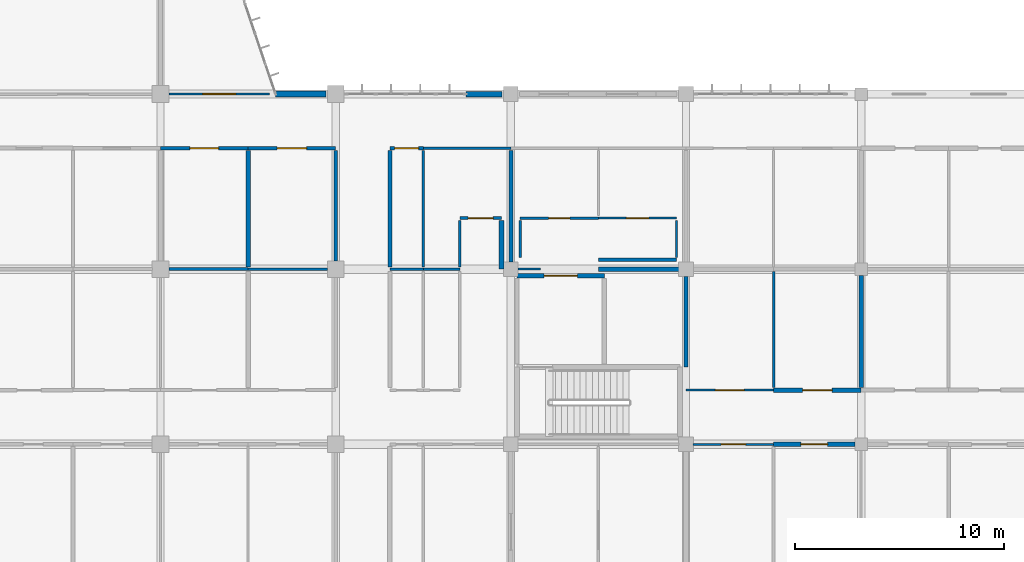
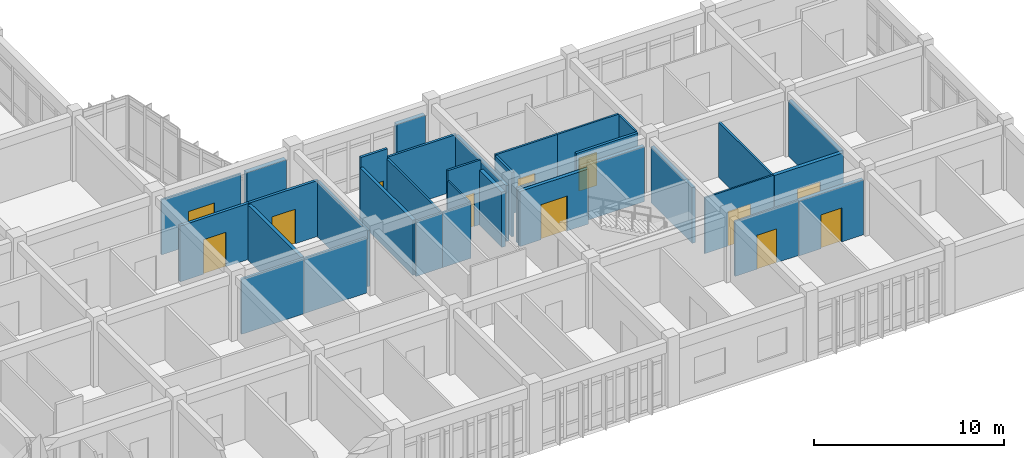
# One storey, part 117 of 144: 34 walls, 12 doors, 12 openings.
"""IFC4 building model written with IfcOpenShell, lengths in metres."""

import ifcopenshell
import ifcopenshell.guid

model = None  # the IFC model being written
_history = None  # IfcOwnerHistory: only IFC2X3 demands one
_inside = {}  # id of a spatial element -> (the spatial element, [elements in it])
_under = {}  # id of a project, library or spatial element -> (it, [spatial elements below it])
_declared = {}  # id of a project -> (the project, [libraries it declares])
_typed = {}  # id of a type object -> (the type object, [elements of that type])
_made_of = {}  # id of a material, layer set ... -> (it, [elements and type objects made of it])


def new_model(schema):
    """Start an empty IFC model of exactly this schema.

    Asked for "IFC4X3", IfcOpenShell would pick the latest addendum, in which some entities
    have other attributes; the version numbers below select the first issue.
    IFC2X3 requires an IfcOwnerHistory on every rooted entity: one is made here for all.
    """
    global model, _history
    if schema == "IFC4X3":
        model = ifcopenshell.file(schema_version=(4, 3, 0, 0))
    else:
        model = ifcopenshell.file(schema=schema)
    _inside.clear()
    _under.clear()
    _declared.clear()
    _typed.clear()
    _made_of.clear()
    _history = None
    if model.schema == "IFC2X3":
        org = make("IfcOrganization", Name="unknown")
        user = make(
            "IfcPersonAndOrganization",
            ThePerson=make("IfcPerson", FamilyName="unknown"),
            TheOrganization=org,
        )
        app = make(
            "IfcApplication",
            ApplicationDeveloper=org,
            Version="unknown",
            ApplicationFullName="unknown",
            ApplicationIdentifier="unknown",
        )
        _history = make(
            "IfcOwnerHistory",
            OwningUser=user,
            OwningApplication=app,
            ChangeAction="ADDED",
            CreationDate=0,
        )
    return model


def make(cls, **values):
    """One entity of the class cls with the attributes given. An attribute that is None is left unset."""
    return model.create_entity(
        cls, **{name: value for name, value in values.items() if value is not None}
    )


def rooted(cls, **values):
    """An entity with a GlobalId (a new one), such as an element, a storey or a relation."""
    return make(cls, GlobalId=ifcopenshell.guid.new(), OwnerHistory=_history, **values)


def si_unit(unit_type, name, prefix=None):
    """IfcSIUnit, for example si_unit("LENGTHUNIT", "METRE", prefix="MILLI")."""
    return make("IfcSIUnit", UnitType=unit_type, Prefix=prefix, Name=name)


def assignment(units):
    """IfcUnitAssignment: the units of a project."""
    return None if units is None else make("IfcUnitAssignment", Units=units)


def point(xyz):
    """IfcCartesianPoint."""
    return None if xyz is None else make("IfcCartesianPoint", Coordinates=xyz)


def direction(xyz):
    """IfcDirection."""
    return None if xyz is None else make("IfcDirection", DirectionRatios=xyz)


def frame(location, z_axis=None, x_axis=None):
    """IfcAxis2Placement3D, a coordinate frame: its origin and axes. An axis left out is left unset."""
    return make(
        "IfcAxis2Placement3D",
        Location=point(location),
        Axis=direction(z_axis),
        RefDirection=direction(x_axis),
    )


def frame_2d(location, x_axis=None):
    """IfcAxis2Placement2D, a coordinate frame in the plane: its origin and x axis."""
    return make(
        "IfcAxis2Placement2D", Location=point(location), RefDirection=direction(x_axis)
    )


def origin():
    """The frame at (0, 0, 0) with its axes left unset."""
    return frame((0.0, 0.0, 0.0))


def place(relative_to, where):
    """IfcLocalPlacement: puts the frame where relative to a parent placement (None: the world)."""
    return make(
        "IfcLocalPlacement", PlacementRelTo=relative_to, RelativePlacement=where
    )


def context(
    kind, dimensions, precision=None, world=None, true_north=None, identifier=None
):
    """IfcGeometricRepresentationContext, for example the 3D "Model" context."""
    return make(
        "IfcGeometricRepresentationContext",
        ContextIdentifier=identifier,
        ContextType=kind,
        CoordinateSpaceDimension=dimensions,
        Precision=precision,
        WorldCoordinateSystem=world,
        TrueNorth=true_north,
    )


def subcontext(parent, identifier, kind, view, scale=None):
    """IfcGeometricRepresentationSubContext, for example "Body" below "Model"."""
    return make(
        "IfcGeometricRepresentationSubContext",
        ContextIdentifier=identifier,
        ContextType=kind,
        ParentContext=parent,
        TargetScale=scale,
        TargetView=view,
    )


def project(units=None, contexts=None):
    """IfcProject with its units and contexts."""
    return rooted(
        "IfcProject",
        Name="project",
        RepresentationContexts=contexts,
        UnitsInContext=assignment(units),
    )


def spatial(cls, under=None, at=None, **own):
    """A site, building, storey or space (cls), placed at a placement, below another one or the project."""
    s = rooted(cls, ObjectPlacement=at, **own)
    if under is not None:
        _under.setdefault(under.id(), (under, []))[1].append(s)
    return s


def profile(cls, at=None, kind="AREA", **sizes):
    """A parametric profile (cls). Its sizes go by their IFC names, for example OverallWidth=200.0."""
    return make(cls, ProfileType=kind, Position=at, **sizes)


def rectangle(**sizes):
    """IfcRectangleProfileDef."""
    return profile("IfcRectangleProfileDef", **sizes)


def extrude(swept, where, along, depth):
    """IfcExtrudedAreaSolid: the profile swept, set in the frame where, extruded along a direction by depth."""
    return make(
        "IfcExtrudedAreaSolid",
        SweptArea=swept,
        Position=where,
        ExtrudedDirection=direction(along),
        Depth=depth,
    )


def shape(context_of_items, identifier, shape_type, items):
    """IfcShapeRepresentation: the items that make up one representation, for example the "Body"."""
    return make(
        "IfcShapeRepresentation",
        ContextOfItems=context_of_items,
        RepresentationIdentifier=identifier,
        RepresentationType=shape_type,
        Items=items,
    )


def material(Name=None, Category=None):
    """IfcMaterial."""
    return make("IfcMaterial", Name=Name, Category=Category)


def layer(
    of_material, thickness, ventilated=None, Name=None, Category=None, Priority=None
):
    """IfcMaterialLayer: one layer of a wall or slab, of a material (None: an air gap)."""
    return make(
        "IfcMaterialLayer",
        Material=of_material,
        LayerThickness=thickness,
        IsVentilated=ventilated,
        Name=Name,
        Category=Category,
        Priority=Priority,
    )


def layer_set(layers, Name=None):
    """IfcMaterialLayerSet."""
    return make("IfcMaterialLayerSet", MaterialLayers=layers, LayerSetName=Name)


def made_of(thing, what):
    """Note that an element or type object is made of a material, layer set ...; save() writes the relation."""
    if what is not None:
        _made_of.setdefault(what.id(), (what, []))[1].append(thing)
    return thing


def type_object(cls, material=None, **own):
    """A type object (cls), such as IfcWallType, which elements share."""
    return made_of(rooted(cls, **own), material)


def element(
    cls,
    number,
    at=None,
    inside=None,
    cuts=None,
    type_object=None,
    material=None,
    context=None,
    identifier="Body",
    shape_type=None,
    held_by="IfcProductDefinitionShape",
    body=None,
    shapes=None,
    **own,
):
    """One element of the class cls, such as IfcWall. Its Tag is "e" and its number.

    at: its placement. inside: the storey or other place that contains it. cuts: it is an
    opening in that element (IfcRelVoidsElement). A single representation is given by context,
    identifier, shape_type and body (its items); several are given by shapes. held_by: the class
    of the entity that holds the representations. save() writes the other relations.
    """
    e = rooted(cls, Tag="e%d" % number, ObjectPlacement=at, **own)
    if body is not None:
        shapes = [shape(context, identifier, shape_type, body)]
    if shapes is not None:
        e.Representation = make(held_by, Representations=shapes)
    if inside is not None:
        _inside.setdefault(inside.id(), (inside, []))[1].append(e)
    if cuts is not None:
        rooted(
            "IfcRelVoidsElement", RelatingBuildingElement=cuts, RelatedOpeningElement=e
        )
    if type_object is not None:
        _typed.setdefault(type_object.id(), (type_object, []))[1].append(e)
    return made_of(e, material)


def fill(opening, filler):
    """IfcRelFillsElement: the door or window that sits in an opening."""
    return rooted(
        "IfcRelFillsElement",
        RelatingOpeningElement=opening,
        RelatedBuildingElement=filler,
    )


def aggregate(whole, parts):
    """IfcRelAggregates: a whole, such as a stair, and the parts it consists of."""
    return rooted("IfcRelAggregates", RelatingObject=whole, RelatedObjects=parts)


def save(model, path):
    """Write the relations noted so far, then the file.

    IfcRelAggregates (storeys below a building ...), IfcRelContainedInSpatialStructure (elements
    in a storey), IfcRelDefinesByType, IfcRelAssociatesMaterial and IfcRelDeclares: one each for
    every whole, place, type object, material and project.
    """
    for whole, parts in _under.values():
        aggregate(whole, parts)
    for where, things in _inside.values():
        rooted(
            "IfcRelContainedInSpatialStructure",
            RelatedElements=things,
            RelatingStructure=where,
        )
    for kind, things in _typed.values():
        rooted("IfcRelDefinesByType", RelatedObjects=things, RelatingType=kind)
    for what, things in _made_of.values():
        rooted("IfcRelAssociatesMaterial", RelatedObjects=things, RelatingMaterial=what)
    for by, libraries in _declared.values():
        rooted("IfcRelDeclares", RelatingContext=by, RelatedDefinitions=libraries)
    model.write(path)


model = new_model("IFC4")

# Units and contexts
model_context = context("Model", 3, precision=1e-05, world=origin(), true_north=direction((0.0, 1.0)))
body_context = subcontext(model_context, "Body", "Model", "MODEL_VIEW")
ifc_project = project(units=[si_unit("LENGTHUNIT", "METRE"), si_unit("AREAUNIT", "SQUARE_METRE"), si_unit("VOLUMEUNIT", "CUBIC_METRE"), si_unit("PLANEANGLEUNIT", "RADIAN"), si_unit("MASSUNIT", "GRAM", prefix="KILO")], contexts=[model_context])

# Site, building, storey
site_placement = place(None, origin())
site = spatial("IfcSite", under=ifc_project, at=site_placement, CompositionType="ELEMENT")
building_placement = place(site_placement, origin())
building = spatial("IfcBuilding", under=site, at=building_placement, Name="Bramfleet General Hospital", CompositionType="ELEMENT")
storey_placement = place(building_placement, frame((0.0, 0.0, 4.800048828125)))
storey = spatial("IfcBuildingStorey", under=building, at=storey_placement, Name="L01", CompositionType="ELEMENT", Elevation=4.800048828125)

# Walls
ifc_material_1 = material(Name="Precast concrete C40/50", Category="concrete")
ifc_layer_1 = layer(ifc_material_1, 0.280029296875, Name="WT-EW-06")
ifc_layer_set_1 = layer_set([ifc_layer_1], Name="Precast concrete C40/50")
wall_type_1 = type_object("IfcWallType", Name="WT-EW-06", PredefinedType="SOLIDWALL", material=ifc_layer_set_1)
wall_1_placement = place(storey_placement, frame((131.52099609375, 25.199951171875, 0.0), z_axis=(0.0, 0.0, 1.0), x_axis=(1.0, 0.0, 0.0)))
element("IfcWall", 1, at=wall_1_placement, inside=storey, type_object=wall_type_1, Name="L01 Exterior Wall 179", PredefinedType="SOLIDWALL", context=body_context, shape_type="SweptSolid", body=[
    extrude(rectangle(XDim=2.404052734375, YDim=0.280029296875, at=frame_2d((1.2021484375, 0.0))), origin(), (0.0, 0.0, 1.0), 3.5400390625),
])
ifc_layer_2 = layer(ifc_material_1, 0.264892578125, Name="WT-EW-07")
ifc_layer_set_2 = layer_set([ifc_layer_2], Name="Precast concrete C40/50")
wall_type_2 = type_object("IfcWallType", Name="WT-EW-07", PredefinedType="SOLIDWALL", material=ifc_layer_set_2)
wall_2_placement = place(storey_placement, frame((140.64111328125, 25.199951171875, 0.0), z_axis=(0.0, 0.0, 1.0), x_axis=(1.0, 0.0, 0.0)))
element("IfcWall", 2, at=wall_2_placement, inside=storey, type_object=wall_type_2, Name="L01 Exterior Wall 180", PredefinedType="SOLIDWALL", context=body_context, shape_type="SweptSolid", body=[
    extrude(rectangle(XDim=1.73388671875, YDim=0.264892578125, at=frame_2d((0.866943359375, 0.0))), origin(), (0.0, 0.0, 1.0), 3.43994140625),
])

# Wall, opening, door
ifc_material_2 = material(Name="Concrete C35/45", Category="concrete")
ifc_layer_3 = layer(ifc_material_2, 0.219970703125, Name="WT-IW-01")
ifc_layer_set_3 = layer_set([ifc_layer_3], Name="Concrete C35/45")
wall_type_3 = type_object("IfcWallType", Name="WT-IW-01", PredefinedType="PARTITIONING", material=ifc_layer_set_3)
wall_3_placement = place(storey_placement, frame((155.39990234375, 8.39990234375, 0.0), z_axis=(0.0, 0.0, 1.0), x_axis=(1.0, 0.0, 0.0)))
wall_3 = element("IfcWall", 3, at=wall_3_placement, inside=storey, type_object=wall_type_3, Name="L01 Interior Partition IW-L01-1225", PredefinedType="PARTITIONING", context=body_context, shape_type="SweptSolid", body=[
    extrude(rectangle(XDim=3.905029296875, YDim=0.219970703125, at=frame_2d((1.95263671875, 0.0))), origin(), (0.0, 0.0, 1.0), 3.5400390625),
])
opening_1_placement = place(wall_3_placement, frame((1.3125, 0.0, 0.0)))
opening_1 = element("IfcOpeningElement", 4, at=opening_1_placement, cuts=wall_3, Name="Opening D0829", PredefinedType="OPENING", context=body_context, shape_type="SweptSolid", body=[
    extrude(rectangle(XDim=1.280029296875, YDim=2.179931640625, at=frame_2d((0.64013671875, 1.08984375))), frame((0.0, 0.119873046875, 0.0), z_axis=(0.0, -1.0, 0.0), x_axis=(1.0, 0.0, 0.0)), (0.0, 0.0, 1.0), 0.239990234375),
])
ifc_material_3 = material(Name="Stainless steel and acoustic timber leaf", Category="steel")
door_type_1 = type_object("IfcDoorType", Name="DR-D-29", OperationType="NOTDEFINED", PredefinedType="DOOR", material=ifc_material_3)
door_1_placement = place(opening_1_placement, origin())
door_1 = element("IfcDoor", 5, at=door_1_placement, inside=storey, type_object=door_type_1, Name="Outpatient Consultation Room L01-1800B Door D0829", OperationType="SINGLE_SWING_RIGHT", OverallHeight=2.179931640625, OverallWidth=1.280029296875, PredefinedType="DOOR", context=body_context, shape_type="SweptSolid", body=[
    extrude(rectangle(XDim=1.280029296875, YDim=2.179931640625, at=frame_2d((0.64013671875, 1.08984375))), frame((0.0, 0.02490234375, 0.0), z_axis=(0.0, -1.0, 0.0), x_axis=(1.0, 0.0, 0.0)), (0.0, 0.0, 1.0), 0.050048828125),
])
fill(opening_1, door_1)

wall_4_placement = place(storey_placement, frame((155.39990234375, 11.0, 0.0), z_axis=(0.0, 0.0, 1.0), x_axis=(1.0, 0.0, 0.0)))
wall_4 = element("IfcWall", 6, at=wall_4_placement, inside=storey, type_object=wall_type_3, Name="L01 Interior Partition IW-L01-1249", PredefinedType="PARTITIONING", context=body_context, shape_type="SweptSolid", body=[
    extrude(rectangle(XDim=4.2001953125, YDim=0.219970703125, at=frame_2d((2.10009765625, 0.0))), origin(), (0.0, 0.0, 1.0), 3.58984375),
])
opening_2_placement = place(wall_4_placement, frame((1.389892578125, 0.0, 0.0)))
opening_2 = element("IfcOpeningElement", 7, at=opening_2_placement, cuts=wall_4, Name="Opening D0831", PredefinedType="OPENING", context=body_context, shape_type="SweptSolid", body=[
    extrude(rectangle(XDim=1.419921875, YDim=2.219970703125, at=frame_2d((0.7099609375, 1.10986328125))), frame((0.0, 0.119873046875, 0.0), z_axis=(0.0, -1.0, 0.0), x_axis=(1.0, 0.0, 0.0)), (0.0, 0.0, 1.0), 0.239990234375),
])
door_type_2 = type_object("IfcDoorType", Name="DR-D-31", OperationType="NOTDEFINED", PredefinedType="DOOR", material=ifc_material_3)
door_2_placement = place(opening_2_placement, origin())
door_2 = element("IfcDoor", 8, at=door_2_placement, inside=storey, type_object=door_type_2, Name="Outpatient Consultation Room L01-1801B Door D0831", OperationType="SINGLE_SWING_RIGHT", OverallHeight=2.219970703125, OverallWidth=1.419921875, PredefinedType="DOOR", context=body_context, shape_type="SweptSolid", body=[
    extrude(rectangle(XDim=1.419921875, YDim=2.219970703125, at=frame_2d((0.7099609375, 1.10986328125))), frame((0.0, 0.02490234375, 0.0), z_axis=(0.0, -1.0, 0.0), x_axis=(1.0, 0.0, 0.0)), (0.0, 0.0, 1.0), 0.050048828125),
])
fill(opening_2, door_2)

# Walls
wall_5_placement = place(storey_placement, frame((147.0, 16.800048828125, 0.0), z_axis=(0.0, 0.0, 1.0), x_axis=(1.0, 0.0, 0.0)))
element("IfcWall", 9, at=wall_5_placement, inside=storey, type_object=wall_type_3, Name="L01 Interior Partition IW-L01-1273", PredefinedType="PARTITIONING", context=body_context, shape_type="SweptSolid", body=[
    extrude(rectangle(XDim=3.85498046875, YDim=0.219970703125, at=frame_2d((1.927490234375, 0.0))), origin(), (0.0, 0.0, 1.0), 3.5400390625),
])
wall_6_placement = place(storey_placement, frame((142.35009765625, 16.800048828125, 0.0), z_axis=(0.0, 0.0, 1.0), x_axis=(0.0, 1.0, 0.0)))
element("IfcWall", 10, at=wall_6_placement, inside=storey, type_object=wall_type_3, Name="L01 Interior Partition IW-L01-1897", PredefinedType="PARTITIONING", context=body_context, shape_type="SweptSolid", body=[
    extrude(rectangle(XDim=2.3349609375, YDim=0.219970703125, at=frame_2d((1.16748046875, 0.0))), origin(), (0.0, 0.0, 1.0), 3.5400390625),
])
wall_7_placement = place(storey_placement, frame((159.60009765625, 11.114990234375, 0.0), z_axis=(0.0, 0.0, 1.0), x_axis=(0.0, 1.0, 0.0)))
element("IfcWall", 11, at=wall_7_placement, inside=storey, type_object=wall_type_3, Name="L01 Interior Partition IW-L01-1921", PredefinedType="PARTITIONING", context=body_context, shape_type="SweptSolid", body=[
    extrude(rectangle(XDim=5.389892578125, YDim=0.219970703125, at=frame_2d((2.69482421875, 0.0))), origin(), (0.0, 0.0, 1.0), 3.58984375),
])

# Wall, opening, door
ifc_layer_4 = layer(ifc_material_2, 0.205078125, Name="WT-IW-02")
ifc_layer_set_4 = layer_set([ifc_layer_4], Name="Concrete C35/45")
wall_type_4 = type_object("IfcWallType", Name="WT-IW-02", PredefinedType="PARTITIONING", material=ifc_layer_set_4)
wall_8_placement = place(storey_placement, frame((143.10009765625, 16.47998046875, 0.0), z_axis=(0.0, 0.0, 1.0), x_axis=(1.0, 0.0, 0.0)))
wall_8 = element("IfcWall", 12, at=wall_8_placement, inside=storey, type_object=wall_type_4, Name="L01 C10 Lobby North Compartment Wall", PredefinedType="PARTITIONING", context=body_context, shape_type="SweptSolid", body=[
    extrude(rectangle(XDim=4.179931640625, YDim=0.205078125, at=frame_2d((2.08984375, 0.0))), origin(), (0.0, 0.0, 1.0), 3.5400390625),
])
opening_3_placement = place(wall_8_placement, frame((1.2900390625, 0.0, 0.0)))
opening_3 = element("IfcOpeningElement", 13, at=opening_3_placement, cuts=wall_8, Name="Opening D0128", PredefinedType="OPENING", context=body_context, shape_type="SweptSolid", body=[
    extrude(rectangle(XDim=1.60009765625, YDim=2.25, at=frame_2d((0.800048828125, 1.125))), frame((0.0, 0.112548828125, 0.0), z_axis=(0.0, -1.0, 0.0), x_axis=(1.0, 0.0, 0.0)), (0.0, 0.0, 1.0), 0.22509765625),
])
door_type_3 = type_object("IfcDoorType", Name="DR-D-04", OperationType="NOTDEFINED", PredefinedType="DOOR", material=ifc_material_3)
door_3_placement = place(opening_3_placement, origin())
door_3 = element("IfcDoor", 14, at=door_3_placement, inside=storey, type_object=door_type_3, Name="L01 C10 Lobby Fire Door D0128", OperationType="DOUBLE_SWING_LEFT", OverallHeight=2.25, OverallWidth=1.60009765625, PredefinedType="DOOR", context=body_context, shape_type="SweptSolid", body=[
    extrude(rectangle(XDim=1.60009765625, YDim=2.25, at=frame_2d((0.800048828125, 1.125))), frame((0.0, 0.02490234375, 0.0), z_axis=(0.0, -1.0, 0.0), x_axis=(1.0, 0.0, 0.0)), (0.0, 0.0, 1.0), 0.050048828125),
])
fill(opening_3, door_3)

# Walls
wall_9_placement = place(storey_placement, frame((130.199951171875, 16.9150390625, 0.0), z_axis=(0.0, 0.0, 1.0), x_axis=(0.0, 1.0, 0.0)))
element("IfcWall", 15, at=wall_9_placement, inside=storey, type_object=wall_type_4, Name="L01 Interior Partition IW-L01-1874", PredefinedType="PARTITIONING", context=body_context, shape_type="SweptSolid", body=[
    extrude(rectangle(XDim=5.570068359375, YDim=0.205078125, at=frame_2d((2.78515625, 0.0))), origin(), (0.0, 0.0, 1.0), 3.5400390625),
])
wall_10_placement = place(storey_placement, frame((151.199951171875, 12.10009765625, 0.0), z_axis=(0.0, 0.0, 1.0), x_axis=(0.0, 1.0, 0.0)))
element("IfcWall", 16, at=wall_10_placement, inside=storey, type_object=wall_type_4, Name="L01 Interior Partition IW-L01-1910", PredefinedType="PARTITIONING", context=body_context, shape_type="SweptSolid", body=[
    extrude(rectangle(XDim=4.35498046875, YDim=0.205078125, at=frame_2d((2.177490234375, 0.0))), origin(), (0.0, 0.0, 1.0), 3.58984375),
])
ifc_layer_5 = layer(ifc_material_2, 0.18994140625, Name="WT-IW-03")
ifc_layer_set_5 = layer_set([ifc_layer_5], Name="Concrete C35/45")
wall_type_5 = type_object("IfcWallType", Name="WT-IW-03", PredefinedType="PARTITIONING", material=ifc_layer_set_5)
wall_11_placement = place(storey_placement, frame((137.0, 16.9150390625, 0.0), z_axis=(0.0, 0.0, 1.0), x_axis=(0.0, 1.0, 0.0)))
element("IfcWall", 17, at=wall_11_placement, inside=storey, type_object=wall_type_5, Name="L01 Interior Partition IW-L01-1887", PredefinedType="PARTITIONING", context=body_context, shape_type="SweptSolid", body=[
    extrude(rectangle(XDim=5.570068359375, YDim=0.18994140625, at=frame_2d((2.78515625, 0.0))), origin(), (0.0, 0.0, 1.0), 3.5400390625),
])
wall_12_placement = place(storey_placement, frame((142.800048828125, 17.14501953125, 0.0), z_axis=(0.0, 0.0, 1.0), x_axis=(0.0, 1.0, 0.0)))
element("IfcWall", 18, at=wall_12_placement, inside=storey, type_object=wall_type_5, Name="L01 Interior Partition IW-L01-1899", PredefinedType="PARTITIONING", context=body_context, shape_type="SweptSolid", body=[
    extrude(rectangle(XDim=5.340087890625, YDim=0.18994140625, at=frame_2d((2.669921875, 0.0))), origin(), (0.0, 0.0, 1.0), 3.58984375),
])

# Wall, opening, door
ifc_material_4 = material(Name="Gypsum plasterboard on acoustic steel studs", Category="steel")
ifc_layer_6 = layer(ifc_material_4, 0.169921875, Name="WT-IW-05")
ifc_layer_set_6 = layer_set([ifc_layer_6], Name="Gypsum plasterboard on acoustic steel studs")
wall_type_6 = type_object("IfcWallType", Name="WT-IW-05", PredefinedType="PARTITIONING", material=ifc_layer_set_6)
wall_13_placement = place(storey_placement, frame((126.0, 22.60009765625, 0.0), z_axis=(0.0, 0.0, 1.0), x_axis=(1.0, 0.0, 0.0)))
wall_13 = element("IfcWall", 19, at=wall_13_placement, inside=storey, type_object=wall_type_6, Name="L01 Interior Partition IW-L01-1301", PredefinedType="PARTITIONING", context=body_context, shape_type="SweptSolid", body=[
    extrude(rectangle(XDim=4.199951171875, YDim=0.169921875, at=frame_2d((2.10009765625, 0.0))), origin(), (0.0, 0.0, 1.0), 3.58984375),
])
opening_4_placement = place(wall_13_placement, frame((1.409912109375, 0.0, 0.0)))
opening_4 = element("IfcOpeningElement", 20, at=opening_4_placement, cuts=wall_13, Name="Opening D0798", PredefinedType="OPENING", context=body_context, shape_type="SweptSolid", body=[
    extrude(rectangle(XDim=1.3798828125, YDim=2.219970703125, at=frame_2d((0.68994140625, 1.10986328125))), frame((0.0, 0.094970703125, 0.0), z_axis=(0.0, -1.0, 0.0), x_axis=(1.0, 0.0, 0.0)), (0.0, 0.0, 1.0), 0.18994140625),
])
door_type_4 = type_object("IfcDoorType", Name="DR-D-30", OperationType="NOTDEFINED", PredefinedType="DOOR", material=ifc_material_3)
door_4_placement = place(opening_4_placement, origin())
door_4 = element("IfcDoor", 21, at=door_4_placement, inside=storey, type_object=door_type_4, Name="Outpatient Specialist Clinic L01-1502A Door D0798", OperationType="SINGLE_SWING_LEFT", OverallHeight=2.219970703125, OverallWidth=1.3798828125, PredefinedType="DOOR", context=body_context, shape_type="SweptSolid", body=[
    extrude(rectangle(XDim=1.3798828125, YDim=2.219970703125, at=frame_2d((0.68994140625, 1.10986328125))), frame((0.0, 0.02490234375, 0.0), z_axis=(0.0, -1.0, 0.0), x_axis=(1.0, 0.0, 0.0)), (0.0, 0.0, 1.0), 0.050048828125),
])
fill(opening_4, door_4)

# Wall
ifc_layer_7 = layer(ifc_material_4, 0.159912109375, Name="WT-IW-06")
ifc_layer_set_7 = layer_set([ifc_layer_7], Name="Gypsum plasterboard on acoustic steel studs")
wall_type_7 = type_object("IfcWallType", Name="WT-IW-06", PredefinedType="PARTITIONING", material=ifc_layer_set_7)
wall_14_placement = place(storey_placement, frame((147.0, 17.25, 0.0), z_axis=(0.0, 0.0, 1.0), x_axis=(1.0, 0.0, 0.0)))
element("IfcWall", 22, at=wall_14_placement, inside=storey, type_object=wall_type_7, Name="L01 Interior Partition IW-L01-1278", PredefinedType="PARTITIONING", context=body_context, shape_type="SweptSolid", body=[
    extrude(rectangle(XDim=3.75, YDim=0.159912109375, at=frame_2d((1.875, 0.0))), origin(), (0.0, 0.0, 1.0), 4.139892578125),
])

# Wall, opening, door
wall_15_placement = place(storey_placement, frame((130.199951171875, 22.60009765625, 0.0), z_axis=(0.0, 0.0, 1.0), x_axis=(1.0, 0.0, 0.0)))
wall_15 = element("IfcWall", 23, at=wall_15_placement, inside=storey, type_object=wall_type_7, Name="L01 Interior Partition IW-L01-1302", PredefinedType="PARTITIONING", context=body_context, shape_type="SweptSolid", body=[
    extrude(rectangle(XDim=4.199951171875, YDim=0.159912109375, at=frame_2d((2.10009765625, 0.0))), origin(), (0.0, 0.0, 1.0), 3.58984375),
])
opening_5_placement = place(wall_15_placement, frame((1.389892578125, 0.0, 0.0)))
opening_5 = element("IfcOpeningElement", 24, at=opening_5_placement, cuts=wall_15, Name="Opening D0799", PredefinedType="OPENING", context=body_context, shape_type="SweptSolid", body=[
    extrude(rectangle(XDim=1.419921875, YDim=2.219970703125, at=frame_2d((0.7099609375, 1.10986328125))), frame((0.0, 0.08984375, 0.0), z_axis=(0.0, -1.0, 0.0), x_axis=(1.0, 0.0, 0.0)), (0.0, 0.0, 1.0), 0.179931640625),
])
door_5_placement = place(opening_5_placement, origin())
door_5 = element("IfcDoor", 25, at=door_5_placement, inside=storey, type_object=door_type_2, Name="Outpatient Consultation Room L01-1502B Door D0799", OperationType="SINGLE_SWING_RIGHT", OverallHeight=2.219970703125, OverallWidth=1.419921875, PredefinedType="DOOR", context=body_context, shape_type="SweptSolid", body=[
    extrude(rectangle(XDim=1.419921875, YDim=2.219970703125, at=frame_2d((0.7099609375, 1.10986328125))), frame((0.0, 0.02490234375, 0.0), z_axis=(0.0, -1.0, 0.0), x_axis=(1.0, 0.0, 0.0)), (0.0, 0.0, 1.0), 0.050048828125),
])
fill(opening_5, door_5)

ifc_layer_8 = layer(ifc_material_4, 0.14990234375, Name="WT-IW-07")
ifc_layer_set_8 = layer_set([ifc_layer_8], Name="Gypsum plasterboard on acoustic steel studs")
wall_type_8 = type_object("IfcWallType", Name="WT-IW-07", PredefinedType="PARTITIONING", material=ifc_layer_set_8)
wall_16_placement = place(storey_placement, frame((137.0, 22.60009765625, 0.0), z_axis=(0.0, 0.0, 1.0), x_axis=(1.0, 0.0, 0.0)))
wall_16 = element("IfcWall", 26, at=wall_16_placement, inside=storey, type_object=wall_type_8, Name="L01 Interior Partition IW-L01-1303", PredefinedType="PARTITIONING", context=body_context, shape_type="SweptSolid", body=[
    extrude(rectangle(XDim=1.60009765625, YDim=0.14990234375, at=frame_2d((0.800048828125, 0.0))), origin(), (0.0, 0.0, 1.0), 4.139892578125),
])
opening_6_placement = place(wall_16_placement, frame((0.22509765625, 0.0, 0.0)))
opening_6 = element("IfcOpeningElement", 27, at=opening_6_placement, cuts=wall_16, Name="Opening D0812", PredefinedType="OPENING", context=body_context, shape_type="SweptSolid", body=[
    extrude(rectangle(XDim=1.14990234375, YDim=2.14990234375, at=frame_2d((0.574951171875, 1.074951171875))), frame((0.0, 0.0849609375, 0.0), z_axis=(0.0, -1.0, 0.0), x_axis=(1.0, 0.0, 0.0)), (0.0, 0.0, 1.0), 0.169921875),
])
door_type_5 = type_object("IfcDoorType", Name="DR-D-12", OperationType="NOTDEFINED", PredefinedType="DOOR", material=ifc_material_3)
door_6_placement = place(opening_6_placement, origin())
door_6 = element("IfcDoor", 28, at=door_6_placement, inside=storey, type_object=door_type_5, Name="Outpatient Specialist Clinic L01-1602A Door D0812", OperationType="SINGLE_SWING_LEFT", OverallHeight=2.14990234375, OverallWidth=1.14990234375, PredefinedType="DOOR", context=body_context, shape_type="SweptSolid", body=[
    extrude(rectangle(XDim=1.14990234375, YDim=2.14990234375, at=frame_2d((0.574951171875, 1.074951171875))), frame((0.0, 0.02490234375, 0.0), z_axis=(0.0, -1.0, 0.0), x_axis=(1.0, 0.0, 0.0)), (0.0, 0.0, 1.0), 0.050048828125),
])
fill(opening_6, door_6)

# Walls
wall_17_placement = place(storey_placement, frame((134.39990234375, 17.195068359375, 0.0), z_axis=(0.0, 0.0, 1.0), x_axis=(0.0, 1.0, 0.0)))
element("IfcWall", 29, at=wall_17_placement, inside=storey, type_object=wall_type_8, Name="L01 Interior Partition IW-L01-1879", PredefinedType="PARTITIONING", context=body_context, shape_type="SweptSolid", body=[
    extrude(rectangle(XDim=5.2900390625, YDim=0.14990234375, at=frame_2d((2.64501953125, 0.0))), origin(), (0.0, 0.0, 1.0), 3.58984375),
])
ifc_layer_9 = layer(ifc_material_4, 0.139892578125, Name="WT-IW-08")
ifc_layer_set_9 = layer_set([ifc_layer_9], Name="Gypsum plasterboard on acoustic steel studs")
wall_type_9 = type_object("IfcWallType", Name="WT-IW-08", PredefinedType="PARTITIONING", material=ifc_layer_set_9)
wall_18_placement = place(storey_placement, frame((126.39501953125, 16.800048828125, 0.0), z_axis=(0.0, 0.0, 1.0), x_axis=(1.0, 0.0, 0.0)))
element("IfcWall", 30, at=wall_18_placement, inside=storey, type_object=wall_type_9, Name="L01 Interior Partition IW-L01-1268", PredefinedType="PARTITIONING", context=body_context, shape_type="SweptSolid", body=[
    extrude(rectangle(XDim=3.804931640625, YDim=0.139892578125, at=frame_2d((1.90234375, 0.0))), origin(), (0.0, 0.0, 1.0), 3.5400390625),
])
wall_19_placement = place(storey_placement, frame((138.60009765625, 22.60009765625, 0.0), z_axis=(0.0, 0.0, 1.0), x_axis=(1.0, 0.0, 0.0)))
element("IfcWall", 31, at=wall_19_placement, inside=storey, type_object=wall_type_9, Name="L01 Interior Partition IW-L01-1304", PredefinedType="PARTITIONING", context=body_context, shape_type="SweptSolid", body=[
    extrude(rectangle(XDim=4.199951171875, YDim=0.139892578125, at=frame_2d((2.10009765625, 0.0))), origin(), (0.0, 0.0, 1.0), 3.58984375),
])
ifc_layer_10 = layer(ifc_material_4, 0.1298828125, Name="WT-IW-09")
ifc_layer_set_10 = layer_set([ifc_layer_10], Name="Gypsum plasterboard on acoustic steel studs")
wall_type_10 = type_object("IfcWallType", Name="WT-IW-09", PredefinedType="PARTITIONING", material=ifc_layer_set_10)
wall_20_placement = place(storey_placement, frame((130.199951171875, 16.800048828125, 0.0), z_axis=(0.0, 0.0, 1.0), x_axis=(1.0, 0.0, 0.0)))
element("IfcWall", 32, at=wall_20_placement, inside=storey, type_object=wall_type_10, Name="L01 Interior Partition IW-L01-1269", PredefinedType="PARTITIONING", context=body_context, shape_type="SweptSolid", body=[
    extrude(rectangle(XDim=3.804931640625, YDim=0.1298828125, at=frame_2d((1.90234375, 0.0))), origin(), (0.0, 0.0, 1.0), 3.5400390625),
])

# Wall, opening, door
wall_21_placement = place(storey_placement, frame((140.35009765625, 19.25, 0.0), z_axis=(0.0, 0.0, 1.0), x_axis=(1.0, 0.0, 0.0)))
wall_21 = element("IfcWall", 33, at=wall_21_placement, inside=storey, type_object=wall_type_10, Name="L01 Interior Partition IW-L01-1281", PredefinedType="PARTITIONING", context=body_context, shape_type="SweptSolid", body=[
    extrude(rectangle(XDim=2.0, YDim=0.1298828125, at=frame_2d((1.0, 0.0))), origin(), (0.0, 0.0, 1.0), 4.139892578125),
])
opening_7_placement = place(wall_21_placement, frame((0.39990234375, 0.0, 0.0)))
opening_7 = element("IfcOpeningElement", 34, at=opening_7_placement, cuts=wall_21, Name="Opening D0813", PredefinedType="OPENING", context=body_context, shape_type="SweptSolid", body=[
    extrude(rectangle(XDim=1.199951171875, YDim=2.14990234375, at=frame_2d((0.60009765625, 1.074951171875))), frame((0.0, 0.074951171875, 0.0), z_axis=(0.0, -1.0, 0.0), x_axis=(1.0, 0.0, 0.0)), (0.0, 0.0, 1.0), 0.14990234375),
])
door_type_6 = type_object("IfcDoorType", Name="DR-D-13", OperationType="NOTDEFINED", PredefinedType="DOOR", material=ifc_material_3)
door_7_placement = place(opening_7_placement, origin())
door_7 = element("IfcDoor", 35, at=door_7_placement, inside=storey, type_object=door_type_6, Name="Outpatient Consultation Room L01-1602B Door D0813", OperationType="SINGLE_SWING_RIGHT", OverallHeight=2.14990234375, OverallWidth=1.199951171875, PredefinedType="DOOR", context=body_context, shape_type="SweptSolid", body=[
    extrude(rectangle(XDim=1.199951171875, YDim=2.14990234375, at=frame_2d((0.60009765625, 1.074951171875))), frame((0.0, 0.02490234375, 0.0), z_axis=(0.0, -1.0, 0.0), x_axis=(1.0, 0.0, 0.0)), (0.0, 0.0, 1.0), 0.050048828125),
])
fill(opening_7, door_7)

# Walls
wall_22_placement = place(storey_placement, frame((143.25, 17.364990234375, 0.0), z_axis=(0.0, 0.0, 1.0), x_axis=(0.0, 1.0, 0.0)))
element("IfcWall", 36, at=wall_22_placement, inside=storey, type_object=wall_type_10, Name="L01 Interior Partition IW-L01-1905", PredefinedType="PARTITIONING", context=body_context, shape_type="SweptSolid", body=[
    extrude(rectangle(XDim=1.77001953125, YDim=0.1298828125, at=frame_2d((0.885009765625, 0.0))), origin(), (0.0, 0.0, 1.0), 4.139892578125),
])
ifc_layer_11 = layer(ifc_material_4, 0.1201171875, Name="WT-IW-10")
ifc_layer_set_11 = layer_set([ifc_layer_11], Name="Gypsum plasterboard on acoustic steel studs")
wall_type_11 = type_object("IfcWallType", Name="WT-IW-10", PredefinedType="PARTITIONING", material=ifc_layer_set_11)
wall_23_placement = place(storey_placement, frame((137.0, 16.800048828125, 0.0), z_axis=(0.0, 0.0, 1.0), x_axis=(1.0, 0.0, 0.0)))
element("IfcWall", 37, at=wall_23_placement, inside=storey, type_object=wall_type_11, Name="L01 Interior Partition IW-L01-1270", PredefinedType="PARTITIONING", context=body_context, shape_type="SweptSolid", body=[
    extrude(rectangle(XDim=1.60009765625, YDim=0.1201171875, at=frame_2d((0.800048828125, 0.0))), origin(), (0.0, 0.0, 1.0), 3.5400390625),
])

# Wall, opening, door
wall_24_placement = place(storey_placement, frame((143.25, 19.25, 0.0), z_axis=(0.0, 0.0, 1.0), x_axis=(1.0, 0.0, 0.0)))
wall_24 = element("IfcWall", 38, at=wall_24_placement, inside=storey, type_object=wall_type_11, Name="L01 Interior Partition IW-L01-1282", PredefinedType="PARTITIONING", context=body_context, shape_type="SweptSolid", body=[
    extrude(rectangle(XDim=3.75, YDim=0.1201171875, at=frame_2d((1.875, 0.0))), origin(), (0.0, 0.0, 1.0), 4.139892578125),
])
opening_8_placement = place(wall_24_placement, frame((1.364990234375, 0.0, 0.0)))
opening_8 = element("IfcOpeningElement", 39, at=opening_8_placement, cuts=wall_24, Name="Opening D0821", PredefinedType="OPENING", context=body_context, shape_type="SweptSolid", body=[
    extrude(rectangle(XDim=1.02001953125, YDim=2.1201171875, at=frame_2d((0.510009765625, 1.06005859375))), frame((0.0, 0.070068359375, 0.0), z_axis=(0.0, -1.0, 0.0), x_axis=(1.0, 0.0, 0.0)), (0.0, 0.0, 1.0), 0.14013671875),
])
door_type_7 = type_object("IfcDoorType", Name="DR-D-21", OperationType="NOTDEFINED", PredefinedType="DOOR", material=ifc_material_3)
door_8_placement = place(opening_8_placement, origin())
door_8 = element("IfcDoor", 40, at=door_8_placement, inside=storey, type_object=door_type_7, Name="Outpatient Specialist Clinic L01-1702A Door D0821", OperationType="SINGLE_SWING_RIGHT", OverallHeight=2.1201171875, OverallWidth=1.02001953125, PredefinedType="DOOR", context=body_context, shape_type="SweptSolid", body=[
    extrude(rectangle(XDim=1.02001953125, YDim=2.1201171875, at=frame_2d((0.510009765625, 1.06005859375))), frame((0.0, 0.02490234375, 0.0), z_axis=(0.0, -1.0, 0.0), x_axis=(1.0, 0.0, 0.0)), (0.0, 0.0, 1.0), 0.050048828125),
])
fill(opening_8, door_8)

# Walls
for number, where, z_axis, x_axis, name in (
    (41, (138.60009765625, 16.9150390625, 0.0), (0.0, 0.0, 1.0), (0.0, 1.0, 0.0), "L01 Interior Partition IW-L01-1894"),
    (42, (155.39990234375, 11.114990234375, 0.0), (0.0, 0.0, 1.0), (0.0, 1.0, 0.0), "L01 Interior Partition IW-L01-1918"),
):
    element("IfcWall", number, at=place(storey_placement, frame(where, z_axis=z_axis, x_axis=x_axis)), inside=storey, type_object=wall_type_11, Name=name, PredefinedType="PARTITIONING", context=body_context, shape_type="SweptSolid", body=[
        extrude(rectangle(XDim=5.570068359375, YDim=0.1201171875, at=frame_2d((2.78515625, 0.0))), origin(), (0.0, 0.0, 1.0), 3.5400390625),
    ])
ifc_layer_12 = layer(ifc_material_4, 0.112060546875, Name="WT-IW-11")
ifc_layer_set_12 = layer_set([ifc_layer_12], Name="Gypsum plasterboard on acoustic steel studs")
wall_type_12 = type_object("IfcWallType", Name="WT-IW-11", PredefinedType="PARTITIONING", material=ifc_layer_set_12)
wall_25_placement = place(storey_placement, frame((138.60009765625, 16.800048828125, 0.0), z_axis=(0.0, 0.0, 1.0), x_axis=(1.0, 0.0, 0.0)))
element("IfcWall", 43, at=wall_25_placement, inside=storey, type_object=wall_type_12, Name="L01 Interior Partition IW-L01-1271", PredefinedType="PARTITIONING", context=body_context, shape_type="SweptSolid", body=[
    extrude(rectangle(XDim=1.75, YDim=0.112060546875, at=frame_2d((0.875, 0.0))), origin(), (0.0, 0.0, 1.0), 3.5400390625),
])

# Wall, opening, door
wall_26_placement = place(storey_placement, frame((147.0, 19.25, 0.0), z_axis=(0.0, 0.0, 1.0), x_axis=(1.0, 0.0, 0.0)))
wall_26 = element("IfcWall", 44, at=wall_26_placement, inside=storey, type_object=wall_type_12, Name="L01 Interior Partition IW-L01-1283", PredefinedType="PARTITIONING", context=body_context, shape_type="SweptSolid", body=[
    extrude(rectangle(XDim=3.75, YDim=0.112060546875, at=frame_2d((1.875, 0.0))), origin(), (0.0, 0.0, 1.0), 4.139892578125),
])
opening_9_placement = place(wall_26_placement, frame((1.3349609375, 0.0, 0.0)))
opening_9 = element("IfcOpeningElement", 45, at=opening_9_placement, cuts=wall_26, Name="Opening D0822", PredefinedType="OPENING", context=body_context, shape_type="SweptSolid", body=[
    extrude(rectangle(XDim=1.080078125, YDim=2.1201171875, at=frame_2d((0.5400390625, 1.06005859375))), frame((0.0, 0.06591796875, 0.0), z_axis=(0.0, -1.0, 0.0), x_axis=(1.0, 0.0, 0.0)), (0.0, 0.0, 1.0), 0.132080078125),
])
door_type_8 = type_object("IfcDoorType", Name="DR-D-22", OperationType="NOTDEFINED", PredefinedType="DOOR", material=ifc_material_3)
door_9_placement = place(opening_9_placement, origin())
door_9 = element("IfcDoor", 46, at=door_9_placement, inside=storey, type_object=door_type_8, Name="Outpatient Consultation Room L01-1702B Door D0822", OperationType="SINGLE_SWING_LEFT", OverallHeight=2.1201171875, OverallWidth=1.080078125, PredefinedType="DOOR", context=body_context, shape_type="SweptSolid", body=[
    extrude(rectangle(XDim=1.080078125, YDim=2.1201171875, at=frame_2d((0.5400390625, 1.06005859375))), frame((0.0, 0.02490234375, 0.0), z_axis=(0.0, -1.0, 0.0), x_axis=(1.0, 0.0, 0.0)), (0.0, 0.0, 1.0), 0.050048828125),
])
fill(opening_9, door_9)

wall_27_placement = place(storey_placement, frame((126.39501953125, 25.199951171875, 0.0), z_axis=(0.0, 0.0, 1.0), x_axis=(1.0, 0.0, 0.0)))
wall_27 = element("IfcWall", 47, at=wall_27_placement, inside=storey, type_object=wall_type_12, Name="L01 Interior Partition IW-L01-1319", PredefinedType="PARTITIONING", context=body_context, shape_type="SweptSolid", body=[
    extrude(rectangle(XDim=4.830322265625, YDim=0.112060546875, at=frame_2d((2.4150390625, 0.0))), origin(), (0.0, 0.0, 1.0), 3.5400390625),
])
opening_10_placement = place(wall_27_placement, frame((1.625244140625, 0.0, 0.0)))
opening_10 = element("IfcOpeningElement", 48, at=opening_10_placement, cuts=wall_27, Name="Opening D0800", PredefinedType="OPENING", context=body_context, shape_type="SweptSolid", body=[
    extrude(rectangle(XDim=1.580078125, YDim=2.219970703125, at=frame_2d((0.7900390625, 1.10986328125))), frame((0.0, 0.06591796875, 0.0), z_axis=(0.0, -1.0, 0.0), x_axis=(1.0, 0.0, 0.0)), (0.0, 0.0, 1.0), 0.132080078125),
])
door_type_9 = type_object("IfcDoorType", Name="DR-D-32", OperationType="NOTDEFINED", PredefinedType="DOOR", material=ifc_material_3)
door_10_placement = place(opening_10_placement, origin())
door_10 = element("IfcDoor", 49, at=door_10_placement, inside=storey, type_object=door_type_9, Name="Pathology and Clinical Laboratory L01-1503A Door D0800", OperationType="DOUBLE_SWING_LEFT", OverallHeight=2.219970703125, OverallWidth=1.580078125, PredefinedType="DOOR", context=body_context, shape_type="SweptSolid", body=[
    extrude(rectangle(XDim=1.580078125, YDim=2.219970703125, at=frame_2d((0.7900390625, 1.10986328125))), frame((0.0, 0.02490234375, 0.0), z_axis=(0.0, -1.0, 0.0), x_axis=(1.0, 0.0, 0.0)), (0.0, 0.0, 1.0), 0.050048828125),
])
fill(opening_10, door_10)

ifc_layer_13 = layer(ifc_material_4, 0.10009765625, Name="WT-IW-12")
ifc_layer_set_13 = layer_set([ifc_layer_13], Name="Gypsum plasterboard on acoustic steel studs")
wall_type_13 = type_object("IfcWallType", Name="WT-IW-12", PredefinedType="PARTITIONING", material=ifc_layer_set_13)
wall_28_placement = place(storey_placement, frame((151.544921875, 8.39990234375, 0.0), z_axis=(0.0, 0.0, 1.0), x_axis=(1.0, 0.0, 0.0)))
wall_28 = element("IfcWall", 50, at=wall_28_placement, inside=storey, type_object=wall_type_13, Name="L01 Interior Partition IW-L01-1224", PredefinedType="PARTITIONING", context=body_context, shape_type="SweptSolid", body=[
    extrude(rectangle(XDim=3.85498046875, YDim=0.10009765625, at=frame_2d((1.927490234375, 0.0))), origin(), (0.0, 0.0, 1.0), 3.5400390625),
])
opening_11_placement = place(wall_28_placement, frame((1.33740234375, 0.0, 0.0)))
opening_11 = element("IfcOpeningElement", 51, at=opening_11_placement, cuts=wall_28, Name="Opening D0828", PredefinedType="OPENING", context=body_context, shape_type="SweptSolid", body=[
    extrude(rectangle(XDim=1.179931640625, YDim=2.179931640625, at=frame_2d((0.58984375, 1.08984375))), frame((0.0, 0.06005859375, 0.0), z_axis=(0.0, -1.0, 0.0), x_axis=(1.0, 0.0, 0.0)), (0.0, 0.0, 1.0), 0.1201171875),
])
door_type_10 = type_object("IfcDoorType", Name="DR-D-28", OperationType="NOTDEFINED", PredefinedType="DOOR", material=ifc_material_3)
door_11_placement = place(opening_11_placement, origin())
door_11 = element("IfcDoor", 52, at=door_11_placement, inside=storey, type_object=door_type_10, Name="Outpatient Specialist Clinic L01-1800A Door D0828", OperationType="SINGLE_SWING_LEFT", OverallHeight=2.179931640625, OverallWidth=1.179931640625, PredefinedType="DOOR", context=body_context, shape_type="SweptSolid", body=[
    extrude(rectangle(XDim=1.179931640625, YDim=2.179931640625, at=frame_2d((0.58984375, 1.08984375))), frame((0.0, 0.02490234375, 0.0), z_axis=(0.0, -1.0, 0.0), x_axis=(1.0, 0.0, 0.0)), (0.0, 0.0, 1.0), 0.050048828125),
])
fill(opening_11, door_11)

wall_29_placement = place(storey_placement, frame((151.199951171875, 11.0, 0.0), z_axis=(0.0, 0.0, 1.0), x_axis=(1.0, 0.0, 0.0)))
wall_29 = element("IfcWall", 53, at=wall_29_placement, inside=storey, type_object=wall_type_13, Name="L01 Interior Partition IW-L01-1248", PredefinedType="PARTITIONING", context=body_context, shape_type="SweptSolid", body=[
    extrude(rectangle(XDim=4.199951171875, YDim=0.10009765625, at=frame_2d((2.10009765625, 0.0))), origin(), (0.0, 0.0, 1.0), 3.58984375),
])
opening_12_placement = place(wall_29_placement, frame((1.409912109375, 0.0, 0.0)))
opening_12 = element("IfcOpeningElement", 54, at=opening_12_placement, cuts=wall_29, Name="Opening D0830", PredefinedType="OPENING", context=body_context, shape_type="SweptSolid", body=[
    extrude(rectangle(XDim=1.3798828125, YDim=2.219970703125, at=frame_2d((0.68994140625, 1.10986328125))), frame((0.0, 0.06005859375, 0.0), z_axis=(0.0, -1.0, 0.0), x_axis=(1.0, 0.0, 0.0)), (0.0, 0.0, 1.0), 0.1201171875),
])
door_12_placement = place(opening_12_placement, origin())
door_12 = element("IfcDoor", 55, at=door_12_placement, inside=storey, type_object=door_type_4, Name="Outpatient Specialist Clinic L01-1801A Door D0830", OperationType="SINGLE_SWING_LEFT", OverallHeight=2.219970703125, OverallWidth=1.3798828125, PredefinedType="DOOR", context=body_context, shape_type="SweptSolid", body=[
    extrude(rectangle(XDim=1.3798828125, YDim=2.219970703125, at=frame_2d((0.68994140625, 1.10986328125))), frame((0.0, 0.02490234375, 0.0), z_axis=(0.0, -1.0, 0.0), x_axis=(1.0, 0.0, 0.0)), (0.0, 0.0, 1.0), 0.050048828125),
])
fill(opening_12, door_12)

# Walls
wall_30_placement = place(storey_placement, frame((143.14501953125, 16.800048828125, 0.0), z_axis=(0.0, 0.0, 1.0), x_axis=(1.0, 0.0, 0.0)))
element("IfcWall", 56, at=wall_30_placement, inside=storey, type_object=wall_type_13, Name="L01 Interior Partition IW-L01-1272", PredefinedType="PARTITIONING", context=body_context, shape_type="SweptSolid", body=[
    extrude(rectangle(XDim=1.0849609375, YDim=0.10009765625, at=frame_2d((0.54248046875, 0.0))), origin(), (0.0, 0.0, 1.0), 3.5400390625),
])
wall_31_placement = place(storey_placement, frame((140.35009765625, 16.9150390625, 0.0), z_axis=(0.0, 0.0, 1.0), x_axis=(0.0, 1.0, 0.0)))
element("IfcWall", 57, at=wall_31_placement, inside=storey, type_object=wall_type_13, Name="L01 Interior Partition IW-L01-1896", PredefinedType="PARTITIONING", context=body_context, shape_type="SweptSolid", body=[
    extrude(rectangle(XDim=2.219970703125, YDim=0.10009765625, at=frame_2d((1.10986328125, 0.0))), origin(), (0.0, 0.0, 1.0), 3.5400390625),
])
wall_32_placement = place(storey_placement, frame((150.75, 17.364990234375, 0.0), z_axis=(0.0, 0.0, 1.0), x_axis=(0.0, 1.0, 0.0)))
element("IfcWall", 58, at=wall_32_placement, inside=storey, type_object=wall_type_13, Name="L01 Interior Partition IW-L01-1908", PredefinedType="PARTITIONING", context=body_context, shape_type="SweptSolid", body=[
    extrude(rectangle(XDim=1.77001953125, YDim=0.10009765625, at=frame_2d((0.885009765625, 0.0))), origin(), (0.0, 0.0, 1.0), 4.139892578125),
])

save(model, "model.ifc")
